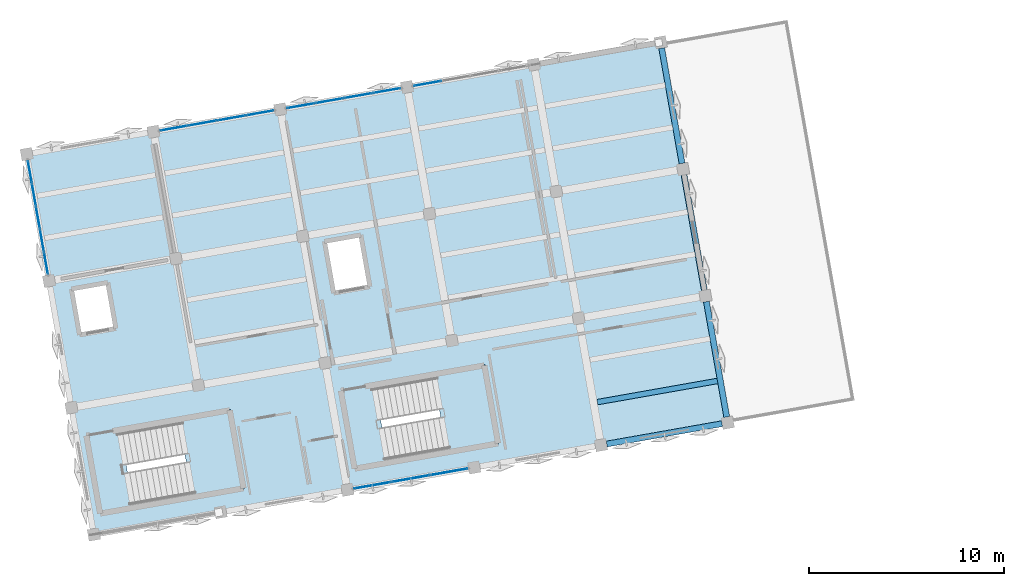
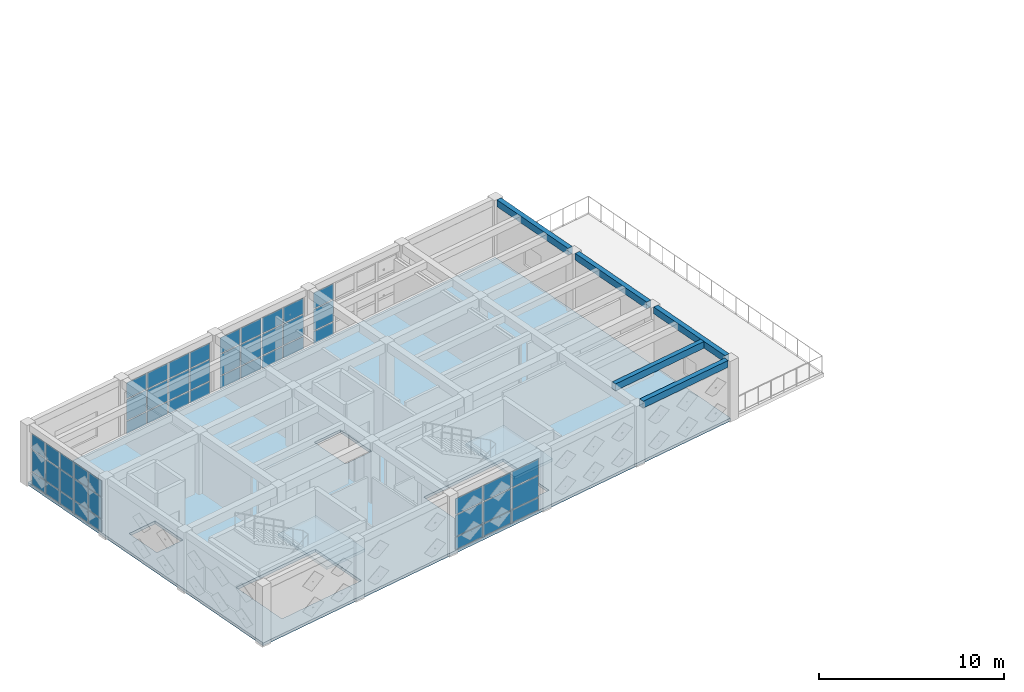
# One storey, part 9 of 18: 51 plates, 5 beams, 3 slabs, 7 elements without a shape of their own.
"""IFC4 building model written with IfcOpenShell, lengths in metres."""

from ifc_helpers import new_model, si_unit, direction, frame, origin, origin_2d, place, context, subcontext, project, spatial, polyline, rectangle, outline, extrude, material, layer, layer_set, material_profile, profile_set, type_object, element, aggregate, save


model = new_model("IFC4")

# Units and contexts
model_context = context("Model", 3, precision=1e-05, world=origin(), true_north=direction((0.0, 1.0)))
body_context = subcontext(model_context, "Body", "Model", "MODEL_VIEW")
ifc_project = project(units=[si_unit("LENGTHUNIT", "METRE"), si_unit("AREAUNIT", "SQUARE_METRE"), si_unit("VOLUMEUNIT", "CUBIC_METRE"), si_unit("PLANEANGLEUNIT", "RADIAN"), si_unit("MASSUNIT", "GRAM", prefix="KILO")], contexts=[model_context])

# Site, building, storey
site_placement = place(None, origin())
site = spatial("IfcSite", under=ifc_project, at=site_placement, CompositionType="ELEMENT")
building_placement = place(site_placement, origin())
building = spatial("IfcBuilding", under=site, at=building_placement, Name="Kharisveld Research Institute", CompositionType="ELEMENT")
storey_placement = place(building_placement, frame((0.0, 0.0, 36.60009765625)))
storey = spatial("IfcBuildingStorey", under=building, at=storey_placement, Name="L08", CompositionType="ELEMENT", Elevation=36.60009765625)

# Beams
ifc_material_1 = material(Name="Concrete C40/50", Category="concrete")
ifc_material_profile_1 = material_profile(ifc_material_1, rectangle(XDim=0.300048828125, YDim=0.449951171875, at=origin_2d()))
ifc_profile_set_1 = profile_set([ifc_material_profile_1], Name="Concrete C40/50")
beam_type_1 = type_object("IfcBeamType", Name="SP_RC_300x450", PredefinedType="SPANDREL", material=ifc_profile_set_1)
beam_1_placement = place(storey_placement, frame((31.494384765625, 39.646484375, 3.794921875), z_axis=(0.984812219346, 0.173622845926, 0.0), x_axis=(-0.173622845926, 0.984812219346, 0.0)))
element("IfcBeam", 1, at=beam_1_placement, inside=storey, type_object=beam_type_1, Name="BM:V1:L08:U4_0", PredefinedType="SPANDREL", context=body_context, shape_type="SweptSolid", body=[
    extrude(rectangle(XDim=0.300048828125, YDim=0.449951171875, at=origin_2d()), origin(), (0.0, 0.0, 1.0), 6.0),
])
for number, where, z_axis, x_axis, name in (
    (2, (37.646484375, 41.035888671875, 3.794921875), (-0.173629803561, 0.984810992686, 0.0), (-0.984810992686, -0.173629803561, 0.0), "BM:V1:L08:V5_0"),
    (3, (36.50048828125, 47.53564453125, 3.794921875), (-0.173669267716, 0.984804034035, 0.0), (-0.984804034035, -0.173669267716, 0.0), "BM:V1:L08:V5_1"),
    (4, (35.3544921875, 54.035400390625, 3.794921875), (-0.173669267716, 0.984804034035, 0.0), (-0.984804034035, -0.173669267716, 0.0), "BM:V1:L08:V5_2"),
):
    element("IfcBeam", number, at=place(storey_placement, frame(where, z_axis=z_axis, x_axis=x_axis)), inside=storey, type_object=beam_type_1, Name=name, PredefinedType="SPANDREL", context=body_context, shape_type="SweptSolid", body=[
        extrude(rectangle(XDim=0.300048828125, YDim=0.449951171875, at=origin_2d()), origin(), (0.0, 0.0, 1.0), 5.999755859375),
    ])
ifc_material_2 = material(Name="Concrete C40/50", Category="concrete")
ifc_material_profile_2 = material_profile(ifc_material_2, rectangle(XDim=0.280029296875, YDim=0.449951171875, at=origin_2d()))
ifc_profile_set_2 = profile_set([ifc_material_profile_2], Name="Concrete C40/50")
beam_type_2 = type_object("IfcBeamType", Name="WB_RC_280x450", PredefinedType="JOIST", material=ifc_profile_set_2)
beam_2_placement = place(storey_placement, frame((31.013916015625, 41.795654296875, 3.794921875), z_axis=(0.984810288083, 0.17363379995, 0.0), x_axis=(-0.17363379995, 0.984810288083, 0.0)))
element("IfcBeam", 5, at=beam_2_placement, inside=storey, type_object=beam_type_2, Name="BM:V1:L08:J_4_0_R1", PredefinedType="JOIST", context=body_context, shape_type="SweptSolid", body=[
    extrude(rectangle(XDim=0.280029296875, YDim=0.449951171875, at=origin_2d()), origin(), (0.0, 0.0, 1.0), 6.25),
])

# Curtain wall, plates
ifc_material_3 = material(Name="Thermally Broken Aluminium Curtain Wall", Category="aluminium")
ifc_layer_1 = layer(ifc_material_3, 0.159912109375)
ifc_layer_set_1 = layer_set([ifc_layer_1], Name="CW_SYS_01")
curtain_wall_type_1 = type_object("IfcCurtainWallType", Name="CW_SYS_01", PredefinedType="NOTDEFINED", material=ifc_layer_set_1)
curtain_wall_1_placement = place(storey_placement, origin())
curtain_wall_1 = element("IfcCurtainWall", 6, at=curtain_wall_1_placement, inside=storey, type_object=curtain_wall_type_1, Name="CW:V1:L08:W2", PredefinedType="NOTDEFINED")
ifc_material_4 = material(Name="Low-E Double Glazing", Category="glass")
ifc_layer_2 = layer(ifc_material_4, 0.028076171875)
ifc_layer_set_2 = layer_set([ifc_layer_2], Name="CW_PNL_GLZ")
plate_type_1 = type_object("IfcPlateType", Name="CW_PNL_GLZ", PredefinedType="CURTAIN_PANEL", material=ifc_layer_set_2)
plate_1_placement = place(storey_placement, frame((2.749267578125, 48.9091796875, 0.06494140625), z_axis=(0.0, 0.0, 1.0), x_axis=(-0.173648210685, 0.98480774719, 0.0)))
plate_1 = element("IfcPlate", 7, at=plate_1_placement, type_object=plate_type_1, Name="CW-01 panel 1.1", PredefinedType="CURTAIN_PANEL", context=body_context, shape_type="SweptSolid", body=[
    extrude(rectangle(XDim=1.096923828125, YDim=0.028076171875, at=origin_2d()), origin(), (0.0, 0.0, 1.0), 0.802490234375),
])
plate_2_placement = place(storey_placement, frame((2.749267578125, 48.9091796875, 0.9326171875), z_axis=(0.0, 0.0, 1.0), x_axis=(-0.173648210685, 0.98480774719, 0.0)))
plate_2 = element("IfcPlate", 8, at=plate_2_placement, type_object=plate_type_1, Name="CW-01 panel 1.2", PredefinedType="CURTAIN_PANEL", context=body_context, shape_type="SweptSolid", body=[
    extrude(rectangle(XDim=1.096923828125, YDim=0.028076171875, at=origin_2d()), origin(), (0.0, 0.0, 1.0), 1.385009765625),
])
plate_3_placement = place(storey_placement, frame((2.749267578125, 48.9091796875, 2.38232421875), z_axis=(0.0, 0.0, 1.0), x_axis=(-0.173648210685, 0.98480774719, 0.0)))
plate_3 = element("IfcPlate", 9, at=plate_3_placement, type_object=plate_type_1, Name="CW-01 panel 1.3", PredefinedType="CURTAIN_PANEL", context=body_context, shape_type="SweptSolid", body=[
    extrude(rectangle(XDim=1.096923828125, YDim=0.028076171875, at=origin_2d()), origin(), (0.0, 0.0, 1.0), 1.032470703125),
])
plate_4_placement = place(storey_placement, frame((2.54345703125, 50.07568359375, 0.06494140625), z_axis=(0.0, 0.0, 1.0), x_axis=(-0.173648210685, 0.98480774719, 0.0)))
plate_4 = element("IfcPlate", 10, at=plate_4_placement, type_object=plate_type_1, Name="CW-01 panel 2.1", PredefinedType="CURTAIN_PANEL", context=body_context, shape_type="SweptSolid", body=[
    extrude(rectangle(XDim=1.132080078125, YDim=0.028076171875, at=origin_2d()), origin(), (0.0, 0.0, 1.0), 0.802490234375),
])
plate_5_placement = place(storey_placement, frame((2.54345703125, 50.07568359375, 0.9326171875), z_axis=(0.0, 0.0, 1.0), x_axis=(-0.173648210685, 0.98480774719, 0.0)))
plate_5 = element("IfcPlate", 11, at=plate_5_placement, type_object=plate_type_1, Name="CW-01 panel 2.2", PredefinedType="CURTAIN_PANEL", context=body_context, shape_type="SweptSolid", body=[
    extrude(rectangle(XDim=1.132080078125, YDim=0.028076171875, at=origin_2d()), origin(), (0.0, 0.0, 1.0), 1.385009765625),
])
plate_6_placement = place(storey_placement, frame((2.54345703125, 50.07568359375, 2.38232421875), z_axis=(0.0, 0.0, 1.0), x_axis=(-0.173648210685, 0.98480774719, 0.0)))
plate_6 = element("IfcPlate", 12, at=plate_6_placement, type_object=plate_type_1, Name="CW-01 panel 2.3", PredefinedType="CURTAIN_PANEL", context=body_context, shape_type="SweptSolid", body=[
    extrude(rectangle(XDim=1.132080078125, YDim=0.028076171875, at=origin_2d()), origin(), (0.0, 0.0, 1.0), 1.032470703125),
])
plate_7_placement = place(storey_placement, frame((2.334716796875, 51.25927734375, 0.06494140625), z_axis=(0.0, 0.0, 1.0), x_axis=(-0.173648210685, 0.98480774719, 0.0)))
plate_7 = element("IfcPlate", 13, at=plate_7_placement, type_object=plate_type_1, Name="CW-01 panel 3.1", PredefinedType="CURTAIN_PANEL", context=body_context, shape_type="SweptSolid", body=[
    extrude(rectangle(XDim=1.132080078125, YDim=0.028076171875, at=origin_2d()), origin(), (0.0, 0.0, 1.0), 0.802490234375),
])
plate_8_placement = place(storey_placement, frame((2.334716796875, 51.25927734375, 0.9326171875), z_axis=(0.0, 0.0, 1.0), x_axis=(-0.173648210685, 0.98480774719, 0.0)))
plate_8 = element("IfcPlate", 14, at=plate_8_placement, type_object=plate_type_1, Name="CW-01 panel 3.2", PredefinedType="CURTAIN_PANEL", context=body_context, shape_type="SweptSolid", body=[
    extrude(rectangle(XDim=1.132080078125, YDim=0.028076171875, at=origin_2d()), origin(), (0.0, 0.0, 1.0), 1.385009765625),
])
plate_9_placement = place(storey_placement, frame((2.334716796875, 51.25927734375, 2.38232421875), z_axis=(0.0, 0.0, 1.0), x_axis=(-0.173648210685, 0.98480774719, 0.0)))
plate_9 = element("IfcPlate", 15, at=plate_9_placement, type_object=plate_type_1, Name="CW-01 panel 3.3", PredefinedType="CURTAIN_PANEL", context=body_context, shape_type="SweptSolid", body=[
    extrude(rectangle(XDim=1.132080078125, YDim=0.028076171875, at=origin_2d()), origin(), (0.0, 0.0, 1.0), 1.032470703125),
])
plate_10_placement = place(storey_placement, frame((2.1259765625, 52.443115234375, 0.06494140625), z_axis=(0.0, 0.0, 1.0), x_axis=(-0.173648210685, 0.98480774719, 0.0)))
plate_10 = element("IfcPlate", 16, at=plate_10_placement, type_object=plate_type_1, Name="CW-01 panel 4.1", PredefinedType="CURTAIN_PANEL", context=body_context, shape_type="SweptSolid", body=[
    extrude(rectangle(XDim=1.132080078125, YDim=0.028076171875, at=origin_2d()), origin(), (0.0, 0.0, 1.0), 0.802490234375),
])
plate_11_placement = place(storey_placement, frame((2.1259765625, 52.443115234375, 0.9326171875), z_axis=(0.0, 0.0, 1.0), x_axis=(-0.173648210685, 0.98480774719, 0.0)))
plate_11 = element("IfcPlate", 17, at=plate_11_placement, type_object=plate_type_1, Name="CW-01 panel 4.2", PredefinedType="CURTAIN_PANEL", context=body_context, shape_type="SweptSolid", body=[
    extrude(rectangle(XDim=1.132080078125, YDim=0.028076171875, at=origin_2d()), origin(), (0.0, 0.0, 1.0), 1.385009765625),
])
plate_12_placement = place(storey_placement, frame((2.1259765625, 52.443115234375, 2.38232421875), z_axis=(0.0, 0.0, 1.0), x_axis=(-0.173648210685, 0.98480774719, 0.0)))
plate_12 = element("IfcPlate", 18, at=plate_12_placement, type_object=plate_type_1, Name="CW-01 panel 4.3", PredefinedType="CURTAIN_PANEL", context=body_context, shape_type="SweptSolid", body=[
    extrude(rectangle(XDim=1.132080078125, YDim=0.028076171875, at=origin_2d()), origin(), (0.0, 0.0, 1.0), 1.032470703125),
])
plate_13_placement = place(storey_placement, frame((1.92041015625, 53.609619140625, 0.06494140625), z_axis=(0.0, 0.0, 1.0), x_axis=(-0.173648210685, 0.98480774719, 0.0)))
plate_13 = element("IfcPlate", 19, at=plate_13_placement, type_object=plate_type_1, Name="CW-01 panel 5.1", PredefinedType="CURTAIN_PANEL", context=body_context, shape_type="SweptSolid", body=[
    extrude(rectangle(XDim=1.096923828125, YDim=0.028076171875, at=origin_2d()), origin(), (0.0, 0.0, 1.0), 0.802490234375),
])
plate_14_placement = place(storey_placement, frame((1.92041015625, 53.609619140625, 0.9326171875), z_axis=(0.0, 0.0, 1.0), x_axis=(-0.173648210685, 0.98480774719, 0.0)))
plate_14 = element("IfcPlate", 20, at=plate_14_placement, type_object=plate_type_1, Name="CW-01 panel 5.2", PredefinedType="CURTAIN_PANEL", context=body_context, shape_type="SweptSolid", body=[
    extrude(rectangle(XDim=1.096923828125, YDim=0.028076171875, at=origin_2d()), origin(), (0.0, 0.0, 1.0), 1.385009765625),
])
plate_15_placement = place(storey_placement, frame((1.92041015625, 53.609619140625, 2.38232421875), z_axis=(0.0, 0.0, 1.0), x_axis=(-0.173648210685, 0.98480774719, 0.0)))
plate_15 = element("IfcPlate", 21, at=plate_15_placement, type_object=plate_type_1, Name="CW-01 panel 5.3", PredefinedType="CURTAIN_PANEL", context=body_context, shape_type="SweptSolid", body=[
    extrude(rectangle(XDim=1.096923828125, YDim=0.028076171875, at=origin_2d()), origin(), (0.0, 0.0, 1.0), 1.032470703125),
])
aggregate(curtain_wall_1, [plate_1, plate_2, plate_3, plate_4, plate_5, plate_6, plate_7, plate_8, plate_9, plate_10, plate_11, plate_12, plate_13, plate_14, plate_15])

ifc_material_5 = material(Name="Thermally Broken Aluminium Curtain Wall", Category="aluminium")
ifc_layer_3 = layer(ifc_material_5, 0.159912109375)
ifc_layer_set_3 = layer_set([ifc_layer_3], Name="CW_SYS_02")
curtain_wall_type_2 = type_object("IfcCurtainWallType", Name="CW_SYS_02", PredefinedType="NOTDEFINED", material=ifc_layer_set_3)
curtain_wall_2_placement = place(storey_placement, origin())
curtain_wall_2 = element("IfcCurtainWall", 22, at=curtain_wall_2_placement, inside=storey, type_object=curtain_wall_type_2, Name="CW:V1:L08:N1", PredefinedType="NOTDEFINED")
plate_16_placement = place(storey_placement, frame((9.30908203125, 55.840087890625, 0.06494140625), z_axis=(0.0, 0.0, 1.0), x_axis=(0.984807742174, 0.173648239132, 0.0)))
plate_16 = element("IfcPlate", 23, at=plate_16_placement, type_object=plate_type_1, Name="CW-02 panel 1.1", PredefinedType="CURTAIN_PANEL", context=body_context, shape_type="SweptSolid", body=[
    extrude(rectangle(XDim=1.3974609375, YDim=0.028076171875, at=origin_2d()), origin(), (0.0, 0.0, 1.0), 0.802490234375),
])
plate_17_placement = place(storey_placement, frame((9.30908203125, 55.840087890625, 0.9326171875), z_axis=(0.0, 0.0, 1.0), x_axis=(0.984807742174, 0.173648239132, 0.0)))
plate_17 = element("IfcPlate", 24, at=plate_17_placement, type_object=plate_type_1, Name="CW-02 panel 1.2", PredefinedType="CURTAIN_PANEL", context=body_context, shape_type="SweptSolid", body=[
    extrude(rectangle(XDim=1.3974609375, YDim=0.028076171875, at=origin_2d()), origin(), (0.0, 0.0, 1.0), 1.385009765625),
])
plate_18_placement = place(storey_placement, frame((9.30908203125, 55.840087890625, 2.38232421875), z_axis=(0.0, 0.0, 1.0), x_axis=(0.984807742174, 0.173648239132, 0.0)))
plate_18 = element("IfcPlate", 25, at=plate_18_placement, type_object=plate_type_1, Name="CW-02 panel 1.3", PredefinedType="CURTAIN_PANEL", context=body_context, shape_type="SweptSolid", body=[
    extrude(rectangle(XDim=1.3974609375, YDim=0.028076171875, at=origin_2d()), origin(), (0.0, 0.0, 1.0), 1.032470703125),
])
plate_19_placement = place(storey_placement, frame((10.771484375, 56.097900390625, 0.06494140625), z_axis=(0.0, 0.0, 1.0), x_axis=(0.984807742174, 0.173648239132, 0.0)))
plate_19 = element("IfcPlate", 26, at=plate_19_placement, type_object=plate_type_1, Name="CW-02 panel 2.1", PredefinedType="CURTAIN_PANEL", context=body_context, shape_type="SweptSolid", body=[
    extrude(rectangle(XDim=1.4326171875, YDim=0.028076171875, at=origin_2d()), origin(), (0.0, 0.0, 1.0), 0.802490234375),
])
plate_20_placement = place(storey_placement, frame((10.771484375, 56.097900390625, 0.9326171875), z_axis=(0.0, 0.0, 1.0), x_axis=(0.984807742174, 0.173648239132, 0.0)))
plate_20 = element("IfcPlate", 27, at=plate_20_placement, type_object=plate_type_1, Name="CW-02 panel 2.2", PredefinedType="CURTAIN_PANEL", context=body_context, shape_type="SweptSolid", body=[
    extrude(rectangle(XDim=1.4326171875, YDim=0.028076171875, at=origin_2d()), origin(), (0.0, 0.0, 1.0), 1.385009765625),
])
plate_21_placement = place(storey_placement, frame((10.771484375, 56.097900390625, 2.38232421875), z_axis=(0.0, 0.0, 1.0), x_axis=(0.984807742174, 0.173648239132, 0.0)))
plate_21 = element("IfcPlate", 28, at=plate_21_placement, type_object=plate_type_1, Name="CW-02 panel 2.3", PredefinedType="CURTAIN_PANEL", context=body_context, shape_type="SweptSolid", body=[
    extrude(rectangle(XDim=1.4326171875, YDim=0.028076171875, at=origin_2d()), origin(), (0.0, 0.0, 1.0), 1.032470703125),
])
plate_22_placement = place(storey_placement, frame((12.251220703125, 56.358642578125, 0.06494140625), z_axis=(0.0, 0.0, 1.0), x_axis=(0.984807742174, 0.173648239132, 0.0)))
plate_22 = element("IfcPlate", 29, at=plate_22_placement, type_object=plate_type_1, Name="CW-02 panel 3.1", PredefinedType="CURTAIN_PANEL", context=body_context, shape_type="SweptSolid", body=[
    extrude(rectangle(XDim=1.4326171875, YDim=0.028076171875, at=origin_2d()), origin(), (0.0, 0.0, 1.0), 0.802490234375),
])
plate_23_placement = place(storey_placement, frame((12.251220703125, 56.358642578125, 0.9326171875), z_axis=(0.0, 0.0, 1.0), x_axis=(0.984807742174, 0.173648239132, 0.0)))
plate_23 = element("IfcPlate", 30, at=plate_23_placement, type_object=plate_type_1, Name="CW-02 panel 3.2", PredefinedType="CURTAIN_PANEL", context=body_context, shape_type="SweptSolid", body=[
    extrude(rectangle(XDim=1.4326171875, YDim=0.028076171875, at=origin_2d()), origin(), (0.0, 0.0, 1.0), 1.385009765625),
])
plate_24_placement = place(storey_placement, frame((12.251220703125, 56.358642578125, 2.38232421875), z_axis=(0.0, 0.0, 1.0), x_axis=(0.984807742174, 0.173648239132, 0.0)))
plate_24 = element("IfcPlate", 31, at=plate_24_placement, type_object=plate_type_1, Name="CW-02 panel 3.3", PredefinedType="CURTAIN_PANEL", context=body_context, shape_type="SweptSolid", body=[
    extrude(rectangle(XDim=1.4326171875, YDim=0.028076171875, at=origin_2d()), origin(), (0.0, 0.0, 1.0), 1.032470703125),
])
plate_25_placement = place(storey_placement, frame((13.713623046875, 56.61669921875, 0.06494140625), z_axis=(0.0, 0.0, 1.0), x_axis=(0.984807742174, 0.173648239132, 0.0)))
plate_25 = element("IfcPlate", 32, at=plate_25_placement, type_object=plate_type_1, Name="CW-02 panel 4.1", PredefinedType="CURTAIN_PANEL", context=body_context, shape_type="SweptSolid", body=[
    extrude(rectangle(XDim=1.3974609375, YDim=0.028076171875, at=origin_2d()), origin(), (0.0, 0.0, 1.0), 0.802490234375),
])
plate_26_placement = place(storey_placement, frame((13.713623046875, 56.61669921875, 0.9326171875), z_axis=(0.0, 0.0, 1.0), x_axis=(0.984807742174, 0.173648239132, 0.0)))
plate_26 = element("IfcPlate", 33, at=plate_26_placement, type_object=plate_type_1, Name="CW-02 panel 4.2", PredefinedType="CURTAIN_PANEL", context=body_context, shape_type="SweptSolid", body=[
    extrude(rectangle(XDim=1.3974609375, YDim=0.028076171875, at=origin_2d()), origin(), (0.0, 0.0, 1.0), 1.385009765625),
])
plate_27_placement = place(storey_placement, frame((13.713623046875, 56.61669921875, 2.38232421875), z_axis=(0.0, 0.0, 1.0), x_axis=(0.984807742174, 0.173648239132, 0.0)))
plate_27 = element("IfcPlate", 34, at=plate_27_placement, type_object=plate_type_1, Name="CW-02 panel 4.3", PredefinedType="CURTAIN_PANEL", context=body_context, shape_type="SweptSolid", body=[
    extrude(rectangle(XDim=1.3974609375, YDim=0.028076171875, at=origin_2d()), origin(), (0.0, 0.0, 1.0), 1.032470703125),
])
aggregate(curtain_wall_2, [plate_16, plate_17, plate_18, plate_19, plate_20, plate_21, plate_22, plate_23, plate_24, plate_25, plate_26, plate_27])

ifc_material_6 = material(Name="Thermally Broken Aluminium Curtain Wall", Category="aluminium")
ifc_layer_4 = layer(ifc_material_6, 0.159912109375)
ifc_layer_set_4 = layer_set([ifc_layer_4], Name="CW_SYS_03")
curtain_wall_type_3 = type_object("IfcCurtainWallType", Name="CW_SYS_03", PredefinedType="NOTDEFINED", material=ifc_layer_set_4)
curtain_wall_3_placement = place(storey_placement, origin())
curtain_wall_3 = element("IfcCurtainWall", 35, at=curtain_wall_3_placement, inside=storey, type_object=curtain_wall_type_3, Name="CW:V1:L08:N2", PredefinedType="NOTDEFINED")
plate_28_placement = place(storey_placement, frame((15.808837890625, 56.986083984375, 0.06494140625), z_axis=(0.0, 0.0, 1.0), x_axis=(0.98480774719, 0.173648210685, 0.0)))
plate_28 = element("IfcPlate", 36, at=plate_28_placement, type_object=plate_type_1, Name="CW-03 panel 1.1", PredefinedType="CURTAIN_PANEL", context=body_context, shape_type="SweptSolid", body=[
    extrude(rectangle(XDim=1.3974609375, YDim=0.028076171875, at=origin_2d()), origin(), (0.0, 0.0, 1.0), 0.802490234375),
])
plate_29_placement = place(storey_placement, frame((15.808837890625, 56.986083984375, 0.9326171875), z_axis=(0.0, 0.0, 1.0), x_axis=(0.98480774719, 0.173648210685, 0.0)))
plate_29 = element("IfcPlate", 37, at=plate_29_placement, type_object=plate_type_1, Name="CW-03 panel 1.2", PredefinedType="CURTAIN_PANEL", context=body_context, shape_type="SweptSolid", body=[
    extrude(rectangle(XDim=1.3974609375, YDim=0.028076171875, at=origin_2d()), origin(), (0.0, 0.0, 1.0), 1.385009765625),
])
plate_30_placement = place(storey_placement, frame((15.808837890625, 56.986083984375, 2.38232421875), z_axis=(0.0, 0.0, 1.0), x_axis=(0.98480774719, 0.173648210685, 0.0)))
plate_30 = element("IfcPlate", 38, at=plate_30_placement, type_object=plate_type_1, Name="CW-03 panel 1.3", PredefinedType="CURTAIN_PANEL", context=body_context, shape_type="SweptSolid", body=[
    extrude(rectangle(XDim=1.3974609375, YDim=0.028076171875, at=origin_2d()), origin(), (0.0, 0.0, 1.0), 1.032470703125),
])
plate_31_placement = place(storey_placement, frame((17.271240234375, 57.243896484375, 0.06494140625), z_axis=(0.0, 0.0, 1.0), x_axis=(0.98480774719, 0.173648210685, 0.0)))
plate_31 = element("IfcPlate", 39, at=plate_31_placement, type_object=plate_type_1, Name="CW-03 panel 2.1", PredefinedType="CURTAIN_PANEL", context=body_context, shape_type="SweptSolid", body=[
    extrude(rectangle(XDim=1.4326171875, YDim=0.028076171875, at=origin_2d()), origin(), (0.0, 0.0, 1.0), 0.802490234375),
])
plate_32_placement = place(storey_placement, frame((17.271240234375, 57.243896484375, 0.9326171875), z_axis=(0.0, 0.0, 1.0), x_axis=(0.98480774719, 0.173648210685, 0.0)))
plate_32 = element("IfcPlate", 40, at=plate_32_placement, type_object=plate_type_1, Name="CW-03 panel 2.2", PredefinedType="CURTAIN_PANEL", context=body_context, shape_type="SweptSolid", body=[
    extrude(rectangle(XDim=1.4326171875, YDim=0.028076171875, at=origin_2d()), origin(), (0.0, 0.0, 1.0), 1.385009765625),
])
plate_33_placement = place(storey_placement, frame((17.271240234375, 57.243896484375, 2.38232421875), z_axis=(0.0, 0.0, 1.0), x_axis=(0.98480774719, 0.173648210685, 0.0)))
plate_33 = element("IfcPlate", 41, at=plate_33_placement, type_object=plate_type_1, Name="CW-03 panel 2.3", PredefinedType="CURTAIN_PANEL", context=body_context, shape_type="SweptSolid", body=[
    extrude(rectangle(XDim=1.4326171875, YDim=0.028076171875, at=origin_2d()), origin(), (0.0, 0.0, 1.0), 1.032470703125),
])
plate_34_placement = place(storey_placement, frame((18.7509765625, 57.5048828125, 0.06494140625), z_axis=(0.0, 0.0, 1.0), x_axis=(0.98480774719, 0.173648210685, 0.0)))
plate_34 = element("IfcPlate", 42, at=plate_34_placement, type_object=plate_type_1, Name="CW-03 panel 3.1", PredefinedType="CURTAIN_PANEL", context=body_context, shape_type="SweptSolid", body=[
    extrude(rectangle(XDim=1.4326171875, YDim=0.028076171875, at=origin_2d()), origin(), (0.0, 0.0, 1.0), 0.802490234375),
])
plate_35_placement = place(storey_placement, frame((18.7509765625, 57.5048828125, 0.9326171875), z_axis=(0.0, 0.0, 1.0), x_axis=(0.98480774719, 0.173648210685, 0.0)))
plate_35 = element("IfcPlate", 43, at=plate_35_placement, type_object=plate_type_1, Name="CW-03 panel 3.2", PredefinedType="CURTAIN_PANEL", context=body_context, shape_type="SweptSolid", body=[
    extrude(rectangle(XDim=1.4326171875, YDim=0.028076171875, at=origin_2d()), origin(), (0.0, 0.0, 1.0), 1.385009765625),
])
plate_36_placement = place(storey_placement, frame((18.7509765625, 57.5048828125, 2.38232421875), z_axis=(0.0, 0.0, 1.0), x_axis=(0.98480774719, 0.173648210685, 0.0)))
plate_36 = element("IfcPlate", 44, at=plate_36_placement, type_object=plate_type_1, Name="CW-03 panel 3.3", PredefinedType="CURTAIN_PANEL", context=body_context, shape_type="SweptSolid", body=[
    extrude(rectangle(XDim=1.4326171875, YDim=0.028076171875, at=origin_2d()), origin(), (0.0, 0.0, 1.0), 1.032470703125),
])
plate_37_placement = place(storey_placement, frame((20.21337890625, 57.7626953125, 0.06494140625), z_axis=(0.0, 0.0, 1.0), x_axis=(0.98480774719, 0.173648210685, 0.0)))
plate_37 = element("IfcPlate", 45, at=plate_37_placement, type_object=plate_type_1, Name="CW-03 panel 4.1", PredefinedType="CURTAIN_PANEL", context=body_context, shape_type="SweptSolid", body=[
    extrude(rectangle(XDim=1.3974609375, YDim=0.028076171875, at=origin_2d()), origin(), (0.0, 0.0, 1.0), 0.802490234375),
])
plate_38_placement = place(storey_placement, frame((20.21337890625, 57.7626953125, 0.9326171875), z_axis=(0.0, 0.0, 1.0), x_axis=(0.98480774719, 0.173648210685, 0.0)))
plate_38 = element("IfcPlate", 46, at=plate_38_placement, type_object=plate_type_1, Name="CW-03 panel 4.2", PredefinedType="CURTAIN_PANEL", context=body_context, shape_type="SweptSolid", body=[
    extrude(rectangle(XDim=1.3974609375, YDim=0.028076171875, at=origin_2d()), origin(), (0.0, 0.0, 1.0), 1.385009765625),
])
plate_39_placement = place(storey_placement, frame((20.21337890625, 57.7626953125, 2.38232421875), z_axis=(0.0, 0.0, 1.0), x_axis=(0.98480774719, 0.173648210685, 0.0)))
plate_39 = element("IfcPlate", 47, at=plate_39_placement, type_object=plate_type_1, Name="CW-03 panel 4.3", PredefinedType="CURTAIN_PANEL", context=body_context, shape_type="SweptSolid", body=[
    extrude(rectangle(XDim=1.3974609375, YDim=0.028076171875, at=origin_2d()), origin(), (0.0, 0.0, 1.0), 1.032470703125),
])
aggregate(curtain_wall_3, [plate_28, plate_29, plate_30, plate_31, plate_32, plate_33, plate_34, plate_35, plate_36, plate_37, plate_38, plate_39])

ifc_material_7 = material(Name="Thermally Broken Aluminium Curtain Wall", Category="aluminium")
ifc_layer_5 = layer(ifc_material_7, 0.159912109375)
ifc_layer_set_5 = layer_set([ifc_layer_5], Name="CW_SYS_04")
curtain_wall_type_4 = type_object("IfcCurtainWallType", Name="CW_SYS_04", PredefinedType="NOTDEFINED", material=ifc_layer_set_5)
curtain_wall_4_placement = place(storey_placement, origin())
curtain_wall_4 = element("IfcCurtainWall", 48, at=curtain_wall_4_placement, inside=storey, type_object=curtain_wall_type_4, Name="CW:V1:L08:N3", PredefinedType="NOTDEFINED")
plate_40_placement = place(storey_placement, frame((22.30859375, 58.132080078125, 0.06494140625), z_axis=(0.0, 0.0, 1.0), x_axis=(0.984807742174, 0.173648239132, 0.0)))
plate_40 = element("IfcPlate", 49, at=plate_40_placement, type_object=plate_type_1, Name="CW-04 panel 1.1", PredefinedType="CURTAIN_PANEL", context=body_context, shape_type="SweptSolid", body=[
    extrude(rectangle(XDim=1.3974609375, YDim=0.028076171875, at=origin_2d()), origin(), (0.0, 0.0, 1.0), 0.802490234375),
])
plate_41_placement = place(storey_placement, frame((22.30859375, 58.132080078125, 0.9326171875), z_axis=(0.0, 0.0, 1.0), x_axis=(0.984807742174, 0.173648239132, 0.0)))
plate_41 = element("IfcPlate", 50, at=plate_41_placement, type_object=plate_type_1, Name="CW-04 panel 1.2", PredefinedType="CURTAIN_PANEL", context=body_context, shape_type="SweptSolid", body=[
    extrude(rectangle(XDim=1.3974609375, YDim=0.028076171875, at=origin_2d()), origin(), (0.0, 0.0, 1.0), 1.385009765625),
])
plate_42_placement = place(storey_placement, frame((22.30859375, 58.132080078125, 2.38232421875), z_axis=(0.0, 0.0, 1.0), x_axis=(0.984807742174, 0.173648239132, 0.0)))
plate_42 = element("IfcPlate", 51, at=plate_42_placement, type_object=plate_type_1, Name="CW-04 panel 1.3", PredefinedType="CURTAIN_PANEL", context=body_context, shape_type="SweptSolid", body=[
    extrude(rectangle(XDim=1.3974609375, YDim=0.028076171875, at=origin_2d()), origin(), (0.0, 0.0, 1.0), 1.032470703125),
])
aggregate(curtain_wall_4, [plate_40, plate_41, plate_42])

ifc_material_8 = material(Name="Thermally Broken Aluminium Curtain Wall", Category="aluminium")
ifc_layer_6 = layer(ifc_material_8, 0.159912109375)
ifc_layer_set_6 = layer_set([ifc_layer_6], Name="CW_SYS_05")
curtain_wall_type_5 = type_object("IfcCurtainWallType", Name="CW_SYS_05", PredefinedType="NOTDEFINED", material=ifc_layer_set_6)
curtain_wall_5_placement = place(storey_placement, origin())
curtain_wall_5 = element("IfcCurtainWall", 52, at=curtain_wall_5_placement, inside=storey, type_object=curtain_wall_type_5, Name="CW:V1:L08:S3", PredefinedType="NOTDEFINED")
ifc_material_9 = material(Name="Insulated Spandrel Glazing", Category="glass")
ifc_layer_7 = layer(ifc_material_9, 0.035888671875)
ifc_layer_set_7 = layer_set([ifc_layer_7], Name="CW_PNL_SPD")
plate_type_2 = type_object("IfcPlateType", Name="CW_PNL_SPD", PredefinedType="CURTAIN_PANEL", material=ifc_layer_set_7)
plate_43_placement = place(storey_placement, frame((23.405029296875, 38.219970703125, 0.06494140625), z_axis=(0.0, 0.0, 1.0), x_axis=(-0.98480774719, -0.173648210685, 0.0)))
plate_43 = element("IfcPlate", 53, at=plate_43_placement, type_object=plate_type_2, Name="CW-05 panel 1.1", PredefinedType="CURTAIN_PANEL", context=body_context, shape_type="SweptSolid", body=[
    extrude(rectangle(XDim=1.8984375, YDim=0.035888671875, at=origin_2d()), origin(), (0.0, 0.0, 1.0), 0.802490234375),
])
plate_44_placement = place(storey_placement, frame((23.405029296875, 38.219970703125, 0.9326171875), z_axis=(0.0, 0.0, 1.0), x_axis=(-0.98480774719, -0.173648210685, 0.0)))
plate_44 = element("IfcPlate", 54, at=plate_44_placement, type_object=plate_type_2, Name="CW-05 panel 1.2", PredefinedType="CURTAIN_PANEL", context=body_context, shape_type="SweptSolid", body=[
    extrude(rectangle(XDim=1.8984375, YDim=0.035888671875, at=origin_2d()), origin(), (0.0, 0.0, 1.0), 1.385009765625),
])
plate_45_placement = place(storey_placement, frame((23.405029296875, 38.219970703125, 2.38232421875), z_axis=(0.0, 0.0, 1.0), x_axis=(-0.98480774719, -0.173648210685, 0.0)))
plate_45 = element("IfcPlate", 55, at=plate_45_placement, type_object=plate_type_2, Name="CW-05 panel 1.3", PredefinedType="CURTAIN_PANEL", context=body_context, shape_type="SweptSolid", body=[
    extrude(rectangle(XDim=1.8984375, YDim=0.035888671875, at=origin_2d()), origin(), (0.0, 0.0, 1.0), 1.032470703125),
])
plate_46_placement = place(storey_placement, frame((21.44921875, 37.875244140625, 0.06494140625), z_axis=(0.0, 0.0, 1.0), x_axis=(-0.98480774719, -0.173648210685, 0.0)))
plate_46 = element("IfcPlate", 56, at=plate_46_placement, type_object=plate_type_2, Name="CW-05 panel 2.1", PredefinedType="CURTAIN_PANEL", context=body_context, shape_type="SweptSolid", body=[
    extrude(rectangle(XDim=1.933349609375, YDim=0.035888671875, at=origin_2d()), origin(), (0.0, 0.0, 1.0), 0.802490234375),
])
plate_47_placement = place(storey_placement, frame((21.44921875, 37.875244140625, 0.9326171875), z_axis=(0.0, 0.0, 1.0), x_axis=(-0.98480774719, -0.173648210685, 0.0)))
plate_47 = element("IfcPlate", 57, at=plate_47_placement, type_object=plate_type_2, Name="CW-05 panel 2.2", PredefinedType="CURTAIN_PANEL", context=body_context, shape_type="SweptSolid", body=[
    extrude(rectangle(XDim=1.933349609375, YDim=0.035888671875, at=origin_2d()), origin(), (0.0, 0.0, 1.0), 1.385009765625),
])
plate_48_placement = place(storey_placement, frame((21.44921875, 37.875244140625, 2.38232421875), z_axis=(0.0, 0.0, 1.0), x_axis=(-0.98480774719, -0.173648210685, 0.0)))
plate_48 = element("IfcPlate", 58, at=plate_48_placement, type_object=plate_type_2, Name="CW-05 panel 2.3", PredefinedType="CURTAIN_PANEL", context=body_context, shape_type="SweptSolid", body=[
    extrude(rectangle(XDim=1.933349609375, YDim=0.035888671875, at=origin_2d()), origin(), (0.0, 0.0, 1.0), 1.032470703125),
])
plate_49_placement = place(storey_placement, frame((19.49365234375, 37.5302734375, 0.06494140625), z_axis=(0.0, 0.0, 1.0), x_axis=(-0.98480774719, -0.173648210685, 0.0)))
plate_49 = element("IfcPlate", 59, at=plate_49_placement, type_object=plate_type_2, Name="CW-05 panel 3.1", PredefinedType="CURTAIN_PANEL", context=body_context, shape_type="SweptSolid", body=[
    extrude(rectangle(XDim=1.8984375, YDim=0.035888671875, at=origin_2d()), origin(), (0.0, 0.0, 1.0), 0.802490234375),
])
plate_50_placement = place(storey_placement, frame((19.49365234375, 37.5302734375, 0.9326171875), z_axis=(0.0, 0.0, 1.0), x_axis=(-0.98480774719, -0.173648210685, 0.0)))
plate_50 = element("IfcPlate", 60, at=plate_50_placement, type_object=plate_type_2, Name="CW-05 panel 3.2", PredefinedType="CURTAIN_PANEL", context=body_context, shape_type="SweptSolid", body=[
    extrude(rectangle(XDim=1.8984375, YDim=0.035888671875, at=origin_2d()), origin(), (0.0, 0.0, 1.0), 1.385009765625),
])
plate_51_placement = place(storey_placement, frame((19.49365234375, 37.5302734375, 2.38232421875), z_axis=(0.0, 0.0, 1.0), x_axis=(-0.98480774719, -0.173648210685, 0.0)))
plate_51 = element("IfcPlate", 61, at=plate_51_placement, type_object=plate_type_2, Name="CW-05 panel 3.3", PredefinedType="CURTAIN_PANEL", context=body_context, shape_type="SweptSolid", body=[
    extrude(rectangle(XDim=1.8984375, YDim=0.035888671875, at=origin_2d()), origin(), (0.0, 0.0, 1.0), 1.032470703125),
])
aggregate(curtain_wall_5, [plate_43, plate_44, plate_45, plate_46, plate_47, plate_48, plate_49, plate_50, plate_51])

# Slab
ifc_material_10 = material(Name="Concrete C40/50", Category="concrete")
ifc_layer_8 = layer(ifc_material_10, 0.18994140625)
ifc_layer_set_8 = layer_set([ifc_layer_8], Name="SL_FLR_190")
slab_type_1 = type_object("IfcSlabType", Name="SL_FLR_190", PredefinedType="FLOOR", material=ifc_layer_set_8)
slab_1_placement = place(storey_placement, frame((0.0, 0.0, -0.190185546875)))
element("IfcSlab", 62, at=slab_1_placement, inside=storey, type_object=slab_type_1, Name="SLAB:V1:L08:MAIN", PredefinedType="FLOOR", context=body_context, shape_type="SweptSolid", body=[
    extrude(outline(polyline([(5.199951171875, 35.010009765625), (37.69873046875, 40.740478515625), (34.260498046875, 60.239501953125), (1.76171875, 54.50927734375), (5.199951171875, 35.010009765625)]), holes=[polyline([(12.73974609375, 37.45654296875), (7.224853515625, 36.48388671875), (6.554443359375, 40.285400390625), (12.0693359375, 41.2578125), (12.73974609375, 37.45654296875)]), polyline([(25.788330078125, 39.75732421875), (20.2734375, 38.784912109375), (19.603271484375, 42.586181640625), (25.1181640625, 43.55859375), (25.788330078125, 39.75732421875)]), polyline([(6.29931640625, 45.591552734375), (4.487060546875, 45.272216796875), (4.080810546875, 47.57666015625), (5.892822265625, 47.89599609375), (6.29931640625, 45.591552734375)]), polyline([(19.32470703125, 47.736083984375), (17.5126953125, 47.41650390625), (17.05419921875, 50.016357421875), (18.8662109375, 50.3359375), (19.32470703125, 47.736083984375)])]), origin(), (0.0, 0.0, 1.0), 0.190185546875),
])

# Stair, slab
ifc_material_11 = material(Name="Concrete C40/50", Category="concrete")
stair_type = type_object("IfcStairType", Name="ST_EXIT_170", PredefinedType="TWO_STRAIGHT_RUN_STAIR", material=ifc_material_11)
stair_1_placement = place(storey_placement, origin())
stair_1 = element("IfcStair", 63, at=stair_1_placement, inside=storey, type_object=stair_type, Name="STR:ST1:L08", PredefinedType="TWO_STRAIGHT_RUN_STAIR")
ifc_material_12 = material(Name="Concrete C40/50", Category="concrete")
ifc_layer_9 = layer(ifc_material_12, 0.179931640625)
ifc_layer_set_9 = layer_set([ifc_layer_9], Name="SL_LND_180")
slab_type_2 = type_object("IfcSlabType", Name="SL_LND_180", PredefinedType="LANDING", material=ifc_layer_set_9)
slab_2_placement = place(storey_placement, frame((0.0, 0.0, 1.919921875)))
slab_2 = element("IfcSlab", 64, at=slab_2_placement, type_object=slab_type_2, Name="ST-01 landing 1", PredefinedType="LANDING", context=body_context, shape_type="SweptSolid", body=[
    extrude(outline(polyline([(10.260986328125, 36.887451171875), (12.909912109375, 37.3544921875), (12.194580078125, 41.411865234375), (9.54541015625, 40.94482421875), (10.260986328125, 36.887451171875)])), origin(), (0.0, 0.0, 1.0), 0.179931640625),
])
aggregate(stair_1, [slab_2])

stair_2_placement = place(storey_placement, origin())
stair_2 = element("IfcStair", 65, at=stair_2_placement, inside=storey, type_object=stair_type, Name="STR:ST2:L08", PredefinedType="TWO_STRAIGHT_RUN_STAIR")
slab_3_placement = place(storey_placement, frame((0.0, 0.0, 1.919921875)))
slab_3 = element("IfcSlab", 66, at=slab_3_placement, type_object=slab_type_2, Name="ST-02 landing 1", PredefinedType="LANDING", context=body_context, shape_type="SweptSolid", body=[
    extrude(outline(polyline([(23.3095703125, 39.188232421875), (25.958740234375, 39.6552734375), (25.243408203125, 43.712646484375), (22.59423828125, 43.24560546875), (23.3095703125, 39.188232421875)])), origin(), (0.0, 0.0, 1.0), 0.179931640625),
])
aggregate(stair_2, [slab_3])

save(model, "model.ifc")
